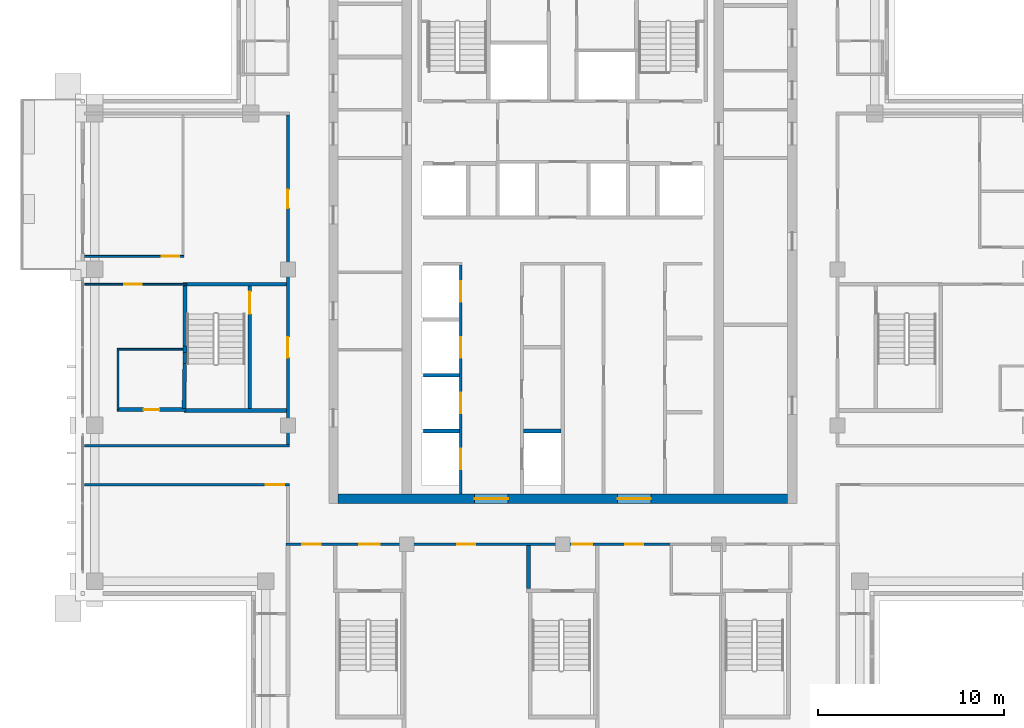
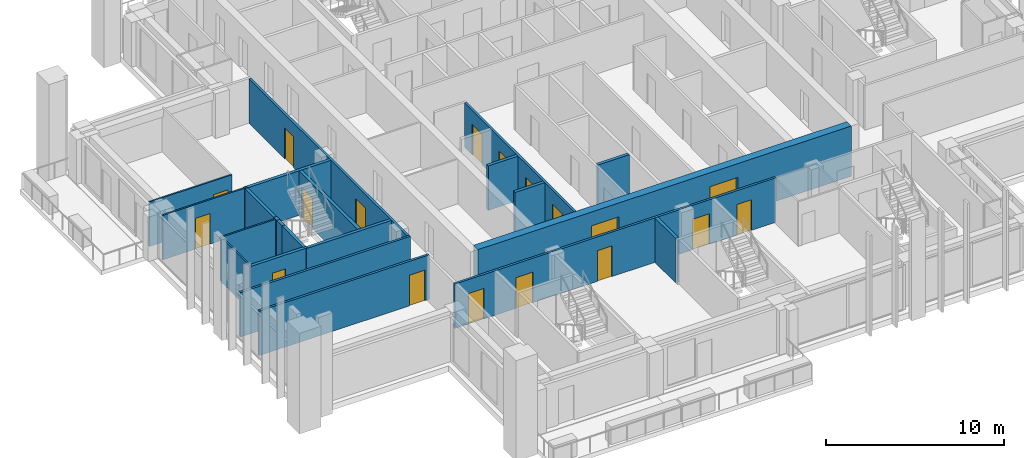
# One storey, part 7 of 16: 22 walls, 18 doors, 18 openings.
"""IFC4 building model written with IfcOpenShell, lengths in metres."""

from ifc_helpers import new_model, si_unit, direction, frame, frame_2d, origin, place, context, subcontext, project, spatial, rectangle, extrude, material, layer, layer_set, type_object, element, fill, save


model = new_model("IFC4")

# Units and contexts
model_context = context("Model", 3, precision=1e-05, world=origin(), true_north=direction((0.0, 1.0)))
body_context = subcontext(model_context, "Body", "Model", "MODEL_VIEW")
ifc_project = project(units=[si_unit("LENGTHUNIT", "METRE"), si_unit("AREAUNIT", "SQUARE_METRE"), si_unit("VOLUMEUNIT", "CUBIC_METRE"), si_unit("PLANEANGLEUNIT", "RADIAN"), si_unit("MASSUNIT", "GRAM", prefix="KILO")], contexts=[model_context])

# Site, building, storey
site_placement = place(None, origin())
site = spatial("IfcSite", under=ifc_project, at=site_placement, CompositionType="ELEMENT")
building_placement = place(site_placement, origin())
building = spatial("IfcBuilding", under=site, at=building_placement, Name="Vermilion Ogive Tower", CompositionType="ELEMENT")
storey_placement = place(building_placement, frame((0.0, 0.0, 233.800048828125)))
storey = spatial("IfcBuildingStorey", under=building, at=storey_placement, Name="L61", CompositionType="ELEMENT", Elevation=233.800048828125)

# Wall, openings, doors
ifc_material_1 = material(Name="Concrete B60", Category="concrete")
ifc_layer_1 = layer(ifc_material_1, 0.5)
ifc_layer_set_1 = layer_set([ifc_layer_1], Name="Core wall 500 B60")
wall_type_1 = type_object("IfcWallType", Name="Core wall 500 B60", PredefinedType="SHEAR", material=ifc_layer_set_1)
wall_1_placement = place(storey_placement, frame((-12.10009765625, -8.14990234375, -0.400146484375), z_axis=(0.0, 0.0, 1.0), x_axis=(1.0, 0.0, 0.0)))
wall_1 = element("IfcWall", 1, at=wall_1_placement, inside=storey, type_object=wall_type_1, Name="L61-CORE-S", PredefinedType="SHEAR", context=body_context, shape_type="SweptSolid", body=[
    extrude(rectangle(XDim=24.2001953125, YDim=0.5, at=frame_2d((12.10009765625, 0.0))), origin(), (0.0, 0.0, 1.0), 3.4501953125),
])
opening_1_placement = place(wall_1_placement, frame((7.35009765625, 0.0, 0.39990234375)))
opening_1 = element("IfcOpeningElement", 2, at=opening_1_placement, cuts=wall_1, Name="Opening DAH049", PredefinedType="OPENING", context=body_context, shape_type="SweptSolid", body=[
    extrude(rectangle(XDim=1.800048828125, YDim=2.10009765625, at=frame_2d((0.89990234375, 1.050048828125))), frame((0.0, 0.260009765625, 0.0), z_axis=(0.0, -1.0, 0.0), x_axis=(1.0, 0.0, 0.0)), (0.0, 0.0, 1.0), 0.52001953125),
])
opening_2_placement = place(wall_1_placement, frame((15.050048828125, 0.0, 0.39990234375)))
opening_2 = element("IfcOpeningElement", 3, at=opening_2_placement, cuts=wall_1, Name="Opening DAH050", PredefinedType="OPENING", context=body_context, shape_type="SweptSolid", body=[
    extrude(rectangle(XDim=1.800048828125, YDim=2.10009765625, at=frame_2d((0.89990234375, 1.050048828125))), frame((0.0, 0.260009765625, 0.0), z_axis=(0.0, -1.0, 0.0), x_axis=(1.0, 0.0, 0.0)), (0.0, 0.0, 1.0), 0.52001953125),
])
ifc_material_2 = material(Name="Timber door leaf", Category="wood")
door_type_1 = type_object("IfcDoorType", Name="Core entry door 1800 x 2100 FD60S", OperationType="DOUBLE_DOOR_SINGLE_SWING", PredefinedType="DOOR", material=ifc_material_2)
door_1_placement = place(opening_1_placement, origin())
door_1 = element("IfcDoor", 4, at=door_1_placement, inside=storey, type_object=door_type_1, Name="L61-CK-XD1", OperationType="SINGLE_SWING_LEFT", OverallHeight=2.10009765625, OverallWidth=1.800048828125, PredefinedType="DOOR", context=body_context, shape_type="SweptSolid", body=[
    extrude(rectangle(XDim=1.800048828125, YDim=2.10009765625, at=frame_2d((0.89990234375, 1.050048828125))), frame((0.0, 0.02490234375, 0.0), z_axis=(0.0, -1.0, 0.0), x_axis=(1.0, 0.0, 0.0)), (0.0, 0.0, 1.0), 0.050048828125),
])
fill(opening_1, door_1)
door_2_placement = place(opening_2_placement, origin())
door_2 = element("IfcDoor", 5, at=door_2_placement, inside=storey, type_object=door_type_1, Name="L61-CK-XD2", OperationType="SINGLE_SWING_LEFT", OverallHeight=2.10009765625, OverallWidth=1.800048828125, PredefinedType="DOOR", context=body_context, shape_type="SweptSolid", body=[
    extrude(rectangle(XDim=1.800048828125, YDim=2.10009765625, at=frame_2d((0.89990234375, 1.050048828125))), frame((0.0, 0.02490234375, 0.0), z_axis=(0.0, -1.0, 0.0), x_axis=(1.0, 0.0, 0.0)), (0.0, 0.0, 1.0), 0.050048828125),
])
fill(opening_2, door_2)

# Walls
ifc_material_3 = material(Name="Gypsum board partition on steel studs", Category="steel")
ifc_layer_2 = layer(ifc_material_3, 0.10009765625)
ifc_layer_set_2 = layer_set([ifc_layer_2], Name="Partition 100 bath")
wall_type_2 = type_object("IfcWallType", Name="Partition 100 bath", PredefinedType="PARTITIONING", material=ifc_layer_set_2)
wall_2_placement = place(storey_placement, frame((-23.998046875, -0.10009765625, 0.0), z_axis=(0.0, 0.0, 1.0), x_axis=(1.0, 0.0, 0.0)))
element("IfcWall", 6, at=wall_2_placement, inside=storey, type_object=wall_type_2, Name="L61-W-W024", PredefinedType="PARTITIONING", context=body_context, shape_type="SweptSolid", body=[
    extrude(rectangle(XDim=3.548095703125, YDim=0.10009765625, at=frame_2d((1.77392578125, 0.0))), origin(), (0.0, 0.0, 1.0), 3.050048828125),
])
wall_3_placement = place(storey_placement, frame((-23.949951171875, -3.347900390625, 0.0), z_axis=(0.0, 0.0, 1.0), x_axis=(0.0, 1.0, 0.0)))
element("IfcWall", 7, at=wall_3_placement, inside=storey, type_object=wall_type_2, Name="L61-W-W040", PredefinedType="PARTITIONING", context=body_context, shape_type="SweptSolid", body=[
    extrude(rectangle(XDim=3.19580078125, YDim=0.10009765625, at=frame_2d((1.597900390625, 0.0))), origin(), (0.0, 0.0, 1.0), 3.050048828125),
])

# Wall, opening, door
ifc_material_4 = material(Name="Gypsum board partition on steel studs", Category="steel")
ifc_layer_3 = layer(ifc_material_4, 0.10009765625)
ifc_layer_set_3 = layer_set([ifc_layer_3], Name="Partition 100 inner")
wall_type_3 = type_object("IfcWallType", Name="Partition 100 inner", PredefinedType="PARTITIONING", material=ifc_layer_set_3)
wall_4_placement = place(storey_placement, frame((-25.75, 3.39990234375, 0.0), z_axis=(0.0, 0.0, 1.0), x_axis=(1.0, 0.0, 0.0)))
wall_4 = element("IfcWall", 8, at=wall_4_placement, inside=storey, type_object=wall_type_3, Name="L61-W-W025", PredefinedType="PARTITIONING", context=body_context, shape_type="SweptSolid", body=[
    extrude(rectangle(XDim=5.5, YDim=0.10009765625, at=frame_2d((2.75, 0.0))), origin(), (0.0, 0.0, 1.0), 3.050048828125),
])
opening_3_placement = place(wall_4_placement, frame((2.125, 0.0, 0.0)))
opening_3 = element("IfcOpeningElement", 9, at=opening_3_placement, cuts=wall_4, Name="Opening D5G2006", PredefinedType="OPENING", context=body_context, shape_type="SweptSolid", body=[
    extrude(rectangle(XDim=0.949951171875, YDim=2.10009765625, at=frame_2d((0.47509765625, 1.050048828125))), frame((0.0, 0.06005859375, 0.0), z_axis=(0.0, -1.0, 0.0), x_axis=(1.0, 0.0, 0.0)), (0.0, 0.0, 1.0), 0.1201171875),
])
ifc_material_5 = material(Name="Timber door leaf", Category="wood")
door_type_2 = type_object("IfcDoorType", Name="Inner door 950 x 2100 FD30", OperationType="SINGLE_SWING_LEFT", PredefinedType="DOOR", material=ifc_material_5)
door_3_placement = place(opening_3_placement, origin())
door_3 = element("IfcDoor", 10, at=door_3_placement, inside=storey, type_object=door_type_2, Name="L61-D-D006", OperationType="SINGLE_SWING_LEFT", OverallHeight=2.10009765625, OverallWidth=0.949951171875, PredefinedType="DOOR", context=body_context, shape_type="SweptSolid", body=[
    extrude(rectangle(XDim=0.949951171875, YDim=2.10009765625, at=frame_2d((0.47509765625, 1.050048828125))), frame((0.0, 0.02490234375, 0.0), z_axis=(0.0, -1.0, 0.0), x_axis=(1.0, 0.0, 0.0)), (0.0, 0.0, 1.0), 0.050048828125),
])
fill(opening_3, door_3)

wall_5_placement = place(storey_placement, frame((-25.75, 4.89990234375, 0.0), z_axis=(0.0, 0.0, 1.0), x_axis=(1.0, 0.0, 0.0)))
wall_5 = element("IfcWall", 11, at=wall_5_placement, inside=storey, type_object=wall_type_3, Name="L61-W-W029", PredefinedType="PARTITIONING", context=body_context, shape_type="SweptSolid", body=[
    extrude(rectangle(XDim=5.35009765625, YDim=0.10009765625, at=frame_2d((2.675048828125, 0.0))), origin(), (0.0, 0.0, 1.0), 3.050048828125),
])
opening_4_placement = place(wall_5_placement, frame((4.14990234375, 0.0, 0.0)))
opening_4 = element("IfcOpeningElement", 12, at=opening_4_placement, cuts=wall_5, Name="Opening D5G2004", PredefinedType="OPENING", context=body_context, shape_type="SweptSolid", body=[
    extrude(rectangle(XDim=0.949951171875, YDim=2.10009765625, at=frame_2d((0.47509765625, 1.050048828125))), frame((0.0, 0.06005859375, 0.0), z_axis=(0.0, -1.0, 0.0), x_axis=(1.0, 0.0, 0.0)), (0.0, 0.0, 1.0), 0.1201171875),
])
door_4_placement = place(opening_4_placement, origin())
door_4 = element("IfcDoor", 13, at=door_4_placement, inside=storey, type_object=door_type_2, Name="L61-D-D004", OperationType="SINGLE_SWING_LEFT", OverallHeight=2.10009765625, OverallWidth=0.949951171875, PredefinedType="DOOR", context=body_context, shape_type="SweptSolid", body=[
    extrude(rectangle(XDim=0.949951171875, YDim=2.10009765625, at=frame_2d((0.47509765625, 1.050048828125))), frame((0.0, 0.02490234375, 0.0), z_axis=(0.0, -1.0, 0.0), x_axis=(1.0, 0.0, 0.0)), (0.0, 0.0, 1.0), 0.050048828125),
])
fill(opening_4, door_4)

# Wall, openings, doors
ifc_material_6 = material(Name="Gypsum board partition on steel studs", Category="steel")
ifc_layer_4 = layer(ifc_material_6, 0.14990234375)
ifc_layer_set_4 = layer_set([ifc_layer_4], Name="Partition 150 corridor")
wall_type_4 = type_object("IfcWallType", Name="Partition 150 corridor", PredefinedType="PARTITIONING", material=ifc_layer_set_4)
wall_6_placement = place(storey_placement, frame((-14.89990234375, -10.60009765625, 0.0), z_axis=(0.0, 0.0, 1.0), x_axis=(1.0, 0.0, 0.0)))
wall_6 = element("IfcWall", 14, at=wall_6_placement, inside=storey, type_object=wall_type_4, Name="L61-W-W012", PredefinedType="PARTITIONING", context=body_context, shape_type="SweptSolid", body=[
    extrude(rectangle(XDim=20.7998046875, YDim=0.14990234375, at=frame_2d((10.39990234375, 0.0))), origin(), (0.0, 0.0, 1.0), 3.050048828125),
])
opening_5_placement = place(wall_6_placement, frame((9.224853515625, 0.0, 0.0)))
opening_5 = element("IfcOpeningElement", 15, at=opening_5_placement, cuts=wall_6, Name="Opening D5G2010", PredefinedType="OPENING", context=body_context, shape_type="SweptSolid", body=[
    extrude(rectangle(XDim=0.949951171875, YDim=2.10009765625, at=frame_2d((0.47509765625, 1.050048828125))), frame((0.0, 0.0849609375, 0.0), z_axis=(0.0, -1.0, 0.0), x_axis=(1.0, 0.0, 0.0)), (0.0, 0.0, 1.0), 0.169921875),
])
opening_6_placement = place(wall_6_placement, frame((18.27490234375, 0.0, 0.0)))
opening_6 = element("IfcOpeningElement", 16, at=opening_6_placement, cuts=wall_6, Name="Opening D5G2011", PredefinedType="OPENING", context=body_context, shape_type="SweptSolid", body=[
    extrude(rectangle(XDim=0.949951171875, YDim=2.10009765625, at=frame_2d((0.47509765625, 1.050048828125))), frame((0.0, 0.0849609375, 0.0), z_axis=(0.0, -1.0, 0.0), x_axis=(1.0, 0.0, 0.0)), (0.0, 0.0, 1.0), 0.169921875),
])
opening_7_placement = place(wall_6_placement, frame((3.949951171875, 0.0, 0.0)))
opening_7 = element("IfcOpeningElement", 17, at=opening_7_placement, cuts=wall_6, Name="Opening D5G2023", PredefinedType="OPENING", context=body_context, shape_type="SweptSolid", body=[
    extrude(rectangle(XDim=1.10009765625, YDim=2.10009765625, at=frame_2d((0.550048828125, 1.050048828125))), frame((0.0, 0.0849609375, 0.0), z_axis=(0.0, -1.0, 0.0), x_axis=(1.0, 0.0, 0.0)), (0.0, 0.0, 1.0), 0.169921875),
])
opening_8_placement = place(wall_6_placement, frame((15.39990234375, 0.0, 0.0)))
opening_8 = element("IfcOpeningElement", 18, at=opening_8_placement, cuts=wall_6, Name="Opening D5G2025", PredefinedType="OPENING", context=body_context, shape_type="SweptSolid", body=[
    extrude(rectangle(XDim=1.10009765625, YDim=2.10009765625, at=frame_2d((0.550048828125, 1.050048828125))), frame((0.0, 0.0849609375, 0.0), z_axis=(0.0, -1.0, 0.0), x_axis=(1.0, 0.0, 0.0)), (0.0, 0.0, 1.0), 0.169921875),
])
opening_9_placement = place(wall_6_placement, frame((0.875, 0.0, 0.0)))
opening_9 = element("IfcOpeningElement", 19, at=opening_9_placement, cuts=wall_6, Name="Opening D5G2033", PredefinedType="OPENING", context=body_context, shape_type="SweptSolid", body=[
    extrude(rectangle(XDim=1.0, YDim=2.10009765625, at=frame_2d((0.5, 1.050048828125))), frame((0.0, 0.0849609375, 0.0), z_axis=(0.0, -1.0, 0.0), x_axis=(1.0, 0.0, 0.0)), (0.0, 0.0, 1.0), 0.169921875),
])
ifc_material_7 = material(Name="Timber door leaf", Category="wood")
door_type_3 = type_object("IfcDoorType", Name="Stair door 1100 x 2100 FD60S", OperationType="SINGLE_SWING_LEFT", PredefinedType="DOOR", material=ifc_material_7)
door_5_placement = place(opening_7_placement, origin())
door_5 = element("IfcDoor", 20, at=door_5_placement, inside=storey, type_object=door_type_3, Name="L61-D-D023", OperationType="SINGLE_SWING_RIGHT", OverallHeight=2.10009765625, OverallWidth=1.10009765625, PredefinedType="DOOR", context=body_context, shape_type="SweptSolid", body=[
    extrude(rectangle(XDim=1.10009765625, YDim=2.10009765625, at=frame_2d((0.550048828125, 1.050048828125))), frame((0.0, 0.02490234375, 0.0), z_axis=(0.0, -1.0, 0.0), x_axis=(1.0, 0.0, 0.0)), (0.0, 0.0, 1.0), 0.050048828125),
])
fill(opening_7, door_5)
door_6_placement = place(opening_8_placement, origin())
door_6 = element("IfcDoor", 21, at=door_6_placement, inside=storey, type_object=door_type_3, Name="L61-D-D025", OperationType="SINGLE_SWING_LEFT", OverallHeight=2.10009765625, OverallWidth=1.10009765625, PredefinedType="DOOR", context=body_context, shape_type="SweptSolid", body=[
    extrude(rectangle(XDim=1.10009765625, YDim=2.10009765625, at=frame_2d((0.550048828125, 1.050048828125))), frame((0.0, 0.02490234375, 0.0), z_axis=(0.0, -1.0, 0.0), x_axis=(1.0, 0.0, 0.0)), (0.0, 0.0, 1.0), 0.050048828125),
])
fill(opening_8, door_6)
ifc_material_8 = material(Name="Timber door leaf", Category="wood")
door_type_4 = type_object("IfcDoorType", Name="Unit door 1000 x 2100 FD30S", OperationType="SINGLE_SWING_LEFT", PredefinedType="DOOR", material=ifc_material_8)
door_7_placement = place(opening_9_placement, origin())
door_7 = element("IfcDoor", 22, at=door_7_placement, inside=storey, type_object=door_type_4, Name="L61-D-D033", OperationType="SINGLE_SWING_RIGHT", OverallHeight=2.10009765625, OverallWidth=1.0, PredefinedType="DOOR", context=body_context, shape_type="SweptSolid", body=[
    extrude(rectangle(XDim=1.0, YDim=2.10009765625, at=frame_2d((0.5, 1.050048828125))), frame((0.0, 0.02490234375, 0.0), z_axis=(0.0, -1.0, 0.0), x_axis=(1.0, 0.0, 0.0)), (0.0, 0.0, 1.0), 0.050048828125),
])
fill(opening_9, door_7)
ifc_material_9 = material(Name="Timber door leaf", Category="wood")
door_type_5 = type_object("IfcDoorType", Name="Unit door 950 x 2100 FD30S", OperationType="SINGLE_SWING_LEFT", PredefinedType="DOOR", material=ifc_material_9)
door_8_placement = place(opening_5_placement, origin())
door_8 = element("IfcDoor", 23, at=door_8_placement, inside=storey, type_object=door_type_5, Name="L61-D-D010", OperationType="SINGLE_SWING_LEFT", OverallHeight=2.10009765625, OverallWidth=0.949951171875, PredefinedType="DOOR", context=body_context, shape_type="SweptSolid", body=[
    extrude(rectangle(XDim=0.949951171875, YDim=2.10009765625, at=frame_2d((0.47509765625, 1.050048828125))), frame((0.0, 0.02490234375, 0.0), z_axis=(0.0, -1.0, 0.0), x_axis=(1.0, 0.0, 0.0)), (0.0, 0.0, 1.0), 0.050048828125),
])
fill(opening_5, door_8)
door_9_placement = place(opening_6_placement, origin())
door_9 = element("IfcDoor", 24, at=door_9_placement, inside=storey, type_object=door_type_5, Name="L61-D-D011", OperationType="SINGLE_SWING_LEFT", OverallHeight=2.10009765625, OverallWidth=0.949951171875, PredefinedType="DOOR", context=body_context, shape_type="SweptSolid", body=[
    extrude(rectangle(XDim=0.949951171875, YDim=2.10009765625, at=frame_2d((0.47509765625, 1.050048828125))), frame((0.0, 0.02490234375, 0.0), z_axis=(0.0, -1.0, 0.0), x_axis=(1.0, 0.0, 0.0)), (0.0, 0.0, 1.0), 0.050048828125),
])
fill(opening_6, door_9)

# Wall, opening, door
wall_7_placement = place(storey_placement, frame((-25.75, -7.39990234375, 0.0), z_axis=(0.0, 0.0, 1.0), x_axis=(1.0, 0.0, 0.0)))
wall_7 = element("IfcWall", 25, at=wall_7_placement, inside=storey, type_object=wall_type_4, Name="L61-W-W015", PredefinedType="PARTITIONING", context=body_context, shape_type="SweptSolid", body=[
    extrude(rectangle(XDim=11.02490234375, YDim=0.14990234375, at=frame_2d((5.512451171875, 0.0))), origin(), (0.0, 0.0, 1.0), 3.050048828125),
])
opening_10_placement = place(wall_7_placement, frame((9.75, 0.0, 0.0)))
opening_10 = element("IfcOpeningElement", 26, at=opening_10_placement, cuts=wall_7, Name="Opening D5G2001", PredefinedType="OPENING", context=body_context, shape_type="SweptSolid", body=[
    extrude(rectangle(XDim=1.0, YDim=2.10009765625, at=frame_2d((0.5, 1.050048828125))), frame((0.0, 0.0849609375, 0.0), z_axis=(0.0, -1.0, 0.0), x_axis=(1.0, 0.0, 0.0)), (0.0, 0.0, 1.0), 0.169921875),
])
door_10_placement = place(opening_10_placement, origin())
door_10 = element("IfcDoor", 27, at=door_10_placement, inside=storey, type_object=door_type_4, Name="L61-D-D001", OperationType="SINGLE_SWING_RIGHT", OverallHeight=2.10009765625, OverallWidth=1.0, PredefinedType="DOOR", context=body_context, shape_type="SweptSolid", body=[
    extrude(rectangle(XDim=1.0, YDim=2.10009765625, at=frame_2d((0.5, 1.050048828125))), frame((0.0, 0.02490234375, 0.0), z_axis=(0.0, -1.0, 0.0), x_axis=(1.0, 0.0, 0.0)), (0.0, 0.0, 1.0), 0.050048828125),
])
fill(opening_10, door_10)

# Wall
wall_8_placement = place(storey_placement, frame((-25.75, -5.300048828125, 0.0), z_axis=(0.0, 0.0, 1.0), x_axis=(1.0, 0.0, 0.0)))
element("IfcWall", 28, at=wall_8_placement, inside=storey, type_object=wall_type_4, Name="L61-W-W017", PredefinedType="PARTITIONING", context=body_context, shape_type="SweptSolid", body=[
    extrude(rectangle(XDim=11.02294921875, YDim=0.14990234375, at=frame_2d((5.511474609375, 0.0))), origin(), (0.0, 0.0, 1.0), 3.050048828125),
])

# Wall, openings, doors
wall_9_placement = place(storey_placement, frame((-14.800048828125, -5.222900390625, 0.0), z_axis=(0.0, 0.0, 1.0), x_axis=(0.0, 1.0, 0.0)))
wall_9 = element("IfcWall", 29, at=wall_9_placement, inside=storey, type_object=wall_type_4, Name="L61-W-W049", PredefinedType="PARTITIONING", context=body_context, shape_type="SweptSolid", body=[
    extrude(rectangle(XDim=17.747802734375, YDim=0.14990234375, at=frame_2d((8.8740234375, 0.0))), origin(), (0.0, 0.0, 1.0), 3.050048828125),
])
opening_11_placement = place(wall_9_placement, frame((12.722900390625, 0.0, 0.0)))
opening_11 = element("IfcOpeningElement", 30, at=opening_11_placement, cuts=wall_9, Name="Opening D5G2005", PredefinedType="OPENING", context=body_context, shape_type="SweptSolid", body=[
    extrude(rectangle(XDim=1.0, YDim=2.10009765625, at=frame_2d((0.5, 1.050048828125))), frame((0.0, 0.0849609375, 0.0), z_axis=(0.0, -1.0, 0.0), x_axis=(1.0, 0.0, 0.0)), (0.0, 0.0, 1.0), 0.169921875),
])
opening_12_placement = place(wall_9_placement, frame((4.6728515625, 0.0, 0.0)))
opening_12 = element("IfcOpeningElement", 31, at=opening_12_placement, cuts=wall_9, Name="Opening D5G2031", PredefinedType="OPENING", context=body_context, shape_type="SweptSolid", body=[
    extrude(rectangle(XDim=1.10009765625, YDim=2.10009765625, at=frame_2d((0.550048828125, 1.050048828125))), frame((0.0, 0.0849609375, 0.0), z_axis=(0.0, -1.0, 0.0), x_axis=(1.0, 0.0, 0.0)), (0.0, 0.0, 1.0), 0.169921875),
])
door_11_placement = place(opening_12_placement, origin())
door_11 = element("IfcDoor", 32, at=door_11_placement, inside=storey, type_object=door_type_3, Name="L61-D-D031", OperationType="SINGLE_SWING_LEFT", OverallHeight=2.10009765625, OverallWidth=1.10009765625, PredefinedType="DOOR", context=body_context, shape_type="SweptSolid", body=[
    extrude(rectangle(XDim=1.10009765625, YDim=2.10009765625, at=frame_2d((0.550048828125, 1.050048828125))), frame((0.0, 0.02490234375, 0.0), z_axis=(0.0, -1.0, 0.0), x_axis=(1.0, 0.0, 0.0)), (0.0, 0.0, 1.0), 0.050048828125),
])
fill(opening_12, door_11)
door_12_placement = place(opening_11_placement, origin())
door_12 = element("IfcDoor", 33, at=door_12_placement, inside=storey, type_object=door_type_4, Name="L61-D-D005", OperationType="SINGLE_SWING_RIGHT", OverallHeight=2.10009765625, OverallWidth=1.0, PredefinedType="DOOR", context=body_context, shape_type="SweptSolid", body=[
    extrude(rectangle(XDim=1.0, YDim=2.10009765625, at=frame_2d((0.5, 1.050048828125))), frame((0.0, 0.02490234375, 0.0), z_axis=(0.0, -1.0, 0.0), x_axis=(1.0, 0.0, 0.0)), (0.0, 0.0, 1.0), 0.050048828125),
])
fill(opening_11, door_12)

wall_10_placement = place(storey_placement, frame((-5.5, -7.89892578125, 0.0), z_axis=(0.0, 0.0, 1.0), x_axis=(0.0, 1.0, 0.0)))
wall_10 = element("IfcWall", 34, at=wall_10_placement, inside=storey, type_object=wall_type_4, Name="L61-CK-W-W020", PredefinedType="PARTITIONING", context=body_context, shape_type="SweptSolid", body=[
    extrude(rectangle(XDim=12.323974609375, YDim=0.14990234375, at=frame_2d((6.162109375, 0.0))), origin(), (0.0, 0.0, 1.0), 3.050048828125),
])
opening_13_placement = place(wall_10_placement, frame((1.348876953125, 0.0, 0.0)))
opening_13 = element("IfcOpeningElement", 35, at=opening_13_placement, cuts=wall_10, Name="Opening DAA576", PredefinedType="OPENING", context=body_context, shape_type="SweptSolid", body=[
    extrude(rectangle(XDim=1.10009765625, YDim=2.10009765625, at=frame_2d((0.550048828125, 1.050048828125))), frame((0.0, 0.0849609375, 0.0), z_axis=(0.0, -1.0, 0.0), x_axis=(1.0, 0.0, 0.0)), (0.0, 0.0, 1.0), 0.169921875),
])
opening_14_placement = place(wall_10_placement, frame((4.348876953125, 0.0, 0.0)))
opening_14 = element("IfcOpeningElement", 36, at=opening_14_placement, cuts=wall_10, Name="Opening DAA577", PredefinedType="OPENING", context=body_context, shape_type="SweptSolid", body=[
    extrude(rectangle(XDim=1.10009765625, YDim=2.10009765625, at=frame_2d((0.550048828125, 1.050048828125))), frame((0.0, 0.0849609375, 0.0), z_axis=(0.0, -1.0, 0.0), x_axis=(1.0, 0.0, 0.0)), (0.0, 0.0, 1.0), 0.169921875),
])
opening_15_placement = place(wall_10_placement, frame((7.348876953125, 0.0, 0.0)))
opening_15 = element("IfcOpeningElement", 37, at=opening_15_placement, cuts=wall_10, Name="Opening DAA578", PredefinedType="OPENING", context=body_context, shape_type="SweptSolid", body=[
    extrude(rectangle(XDim=1.10009765625, YDim=2.10009765625, at=frame_2d((0.550048828125, 1.050048828125))), frame((0.0, 0.0849609375, 0.0), z_axis=(0.0, -1.0, 0.0), x_axis=(1.0, 0.0, 0.0)), (0.0, 0.0, 1.0), 0.169921875),
])
opening_16_placement = place(wall_10_placement, frame((10.348876953125, 0.0, 0.0)))
opening_16 = element("IfcOpeningElement", 38, at=opening_16_placement, cuts=wall_10, Name="Opening DAA579", PredefinedType="OPENING", context=body_context, shape_type="SweptSolid", body=[
    extrude(rectangle(XDim=1.10009765625, YDim=2.10009765625, at=frame_2d((0.550048828125, 1.050048828125))), frame((0.0, 0.0849609375, 0.0), z_axis=(0.0, -1.0, 0.0), x_axis=(1.0, 0.0, 0.0)), (0.0, 0.0, 1.0), 0.169921875),
])
ifc_material_10 = material(Name="Stainless steel", Category="steel")
door_type_6 = type_object("IfcDoorType", Name="Lift landing door 1100 x 2100", OperationType="SLIDING_TO_LEFT", PredefinedType="DOOR", material=ifc_material_10)
door_13_placement = place(opening_13_placement, origin())
door_13 = element("IfcDoor", 39, at=door_13_placement, inside=storey, type_object=door_type_6, Name="L61-CK-D-D001", OperationType="SLIDING_TO_LEFT", OverallHeight=2.10009765625, OverallWidth=1.10009765625, PredefinedType="DOOR", context=body_context, shape_type="SweptSolid", body=[
    extrude(rectangle(XDim=1.10009765625, YDim=2.10009765625, at=frame_2d((0.550048828125, 1.050048828125))), frame((0.0, 0.02490234375, 0.0), z_axis=(0.0, -1.0, 0.0), x_axis=(1.0, 0.0, 0.0)), (0.0, 0.0, 1.0), 0.050048828125),
])
fill(opening_13, door_13)
door_14_placement = place(opening_14_placement, origin())
door_14 = element("IfcDoor", 40, at=door_14_placement, inside=storey, type_object=door_type_6, Name="L61-CK-D-D002", OperationType="SLIDING_TO_LEFT", OverallHeight=2.10009765625, OverallWidth=1.10009765625, PredefinedType="DOOR", context=body_context, shape_type="SweptSolid", body=[
    extrude(rectangle(XDim=1.10009765625, YDim=2.10009765625, at=frame_2d((0.550048828125, 1.050048828125))), frame((0.0, 0.02490234375, 0.0), z_axis=(0.0, -1.0, 0.0), x_axis=(1.0, 0.0, 0.0)), (0.0, 0.0, 1.0), 0.050048828125),
])
fill(opening_14, door_14)
door_15_placement = place(opening_15_placement, origin())
door_15 = element("IfcDoor", 41, at=door_15_placement, inside=storey, type_object=door_type_6, Name="L61-CK-D-D003", OperationType="SLIDING_TO_LEFT", OverallHeight=2.10009765625, OverallWidth=1.10009765625, PredefinedType="DOOR", context=body_context, shape_type="SweptSolid", body=[
    extrude(rectangle(XDim=1.10009765625, YDim=2.10009765625, at=frame_2d((0.550048828125, 1.050048828125))), frame((0.0, 0.02490234375, 0.0), z_axis=(0.0, -1.0, 0.0), x_axis=(1.0, 0.0, 0.0)), (0.0, 0.0, 1.0), 0.050048828125),
])
fill(opening_15, door_15)
door_16_placement = place(opening_16_placement, origin())
door_16 = element("IfcDoor", 42, at=door_16_placement, inside=storey, type_object=door_type_6, Name="L61-CK-D-D004", OperationType="SLIDING_TO_LEFT", OverallHeight=2.10009765625, OverallWidth=1.10009765625, PredefinedType="DOOR", context=body_context, shape_type="SweptSolid", body=[
    extrude(rectangle(XDim=1.10009765625, YDim=2.10009765625, at=frame_2d((0.550048828125, 1.050048828125))), frame((0.0, 0.02490234375, 0.0), z_axis=(0.0, -1.0, 0.0), x_axis=(1.0, 0.0, 0.0)), (0.0, 0.0, 1.0), 0.050048828125),
])
fill(opening_16, door_16)

# Walls
ifc_material_11 = material(Name="Gypsum board partition on steel studs", Category="steel")
ifc_layer_5 = layer(ifc_material_11, 0.199951171875)
ifc_layer_set_5 = layer_set([ifc_layer_5], Name="Partition 200 party")
wall_type_5 = type_object("IfcWallType", Name="Partition 200 party", PredefinedType="PARTITIONING", material=ifc_layer_set_5)
wall_11_placement = place(storey_placement, frame((-1.85009765625, -12.998046875, 0.0), z_axis=(0.0, 0.0, 1.0), x_axis=(0.0, 1.0, 0.0)))
element("IfcWall", 43, at=wall_11_placement, inside=storey, type_object=wall_type_5, Name="L61-W-W056", PredefinedType="PARTITIONING", context=body_context, shape_type="SweptSolid", body=[
    extrude(rectangle(XDim=2.322998046875, YDim=0.199951171875, at=frame_2d((1.16162109375, 0.0))), origin(), (0.0, 0.0, 1.0), 3.050048828125),
])
wall_12_placement = place(storey_placement, frame((-7.5, -4.5, 0.0), z_axis=(0.0, 0.0, 1.0), x_axis=(1.0, 0.0, 0.0)))
element("IfcWall", 44, at=wall_12_placement, inside=storey, type_object=wall_type_5, Name="L61-CK-W-W001", PredefinedType="PARTITIONING", context=body_context, shape_type="SweptSolid", body=[
    extrude(rectangle(XDim=1.925048828125, YDim=0.199951171875, at=frame_2d((0.96240234375, 0.0))), origin(), (0.0, 0.0, 1.0), 3.050048828125),
])
wall_13_placement = place(storey_placement, frame((-2.125, -4.5, 0.0), z_axis=(0.0, 0.0, 1.0), x_axis=(1.0, 0.0, 0.0)))
element("IfcWall", 45, at=wall_13_placement, inside=storey, type_object=wall_type_5, Name="L61-CK-W-W002", PredefinedType="PARTITIONING", context=body_context, shape_type="SweptSolid", body=[
    extrude(rectangle(XDim=2.02490234375, YDim=0.199951171875, at=frame_2d((1.012451171875, 0.0))), origin(), (0.0, 0.0, 1.0), 3.050048828125),
])
wall_14_placement = place(storey_placement, frame((-7.5, -1.5, 0.0), z_axis=(0.0, 0.0, 1.0), x_axis=(1.0, 0.0, 0.0)))
element("IfcWall", 46, at=wall_14_placement, inside=storey, type_object=wall_type_5, Name="L61-CK-W-W004", PredefinedType="PARTITIONING", context=body_context, shape_type="SweptSolid", body=[
    extrude(rectangle(XDim=1.925048828125, YDim=0.199951171875, at=frame_2d((0.96240234375, 0.0))), origin(), (0.0, 0.0, 1.0), 3.050048828125),
])

# Wall, opening, door
ifc_material_12 = material(Name="Concrete B60", Category="concrete")
ifc_layer_6 = layer(ifc_material_12, 0.199951171875)
ifc_layer_set_6 = layer_set([ifc_layer_6], Name="Stair shaft wall 200 Concrete B60")
wall_type_6 = type_object("IfcWallType", Name="Stair shaft wall 200 Concrete B60", PredefinedType="SOLIDWALL", material=ifc_layer_set_6)
wall_15_placement = place(storey_placement, frame((-23.998046875, -3.349853515625, 0.0), z_axis=(0.0, 0.0, 1.0), x_axis=(1.0, 0.0, 0.0)))
wall_15 = element("IfcWall", 47, at=wall_15_placement, inside=storey, type_object=wall_type_6, Name="L61-W-W019", PredefinedType="SOLIDWALL", context=body_context, shape_type="SweptSolid", body=[
    extrude(rectangle(XDim=3.697998046875, YDim=0.199951171875, at=frame_2d((1.84912109375, 0.0))), origin(), (0.0, 0.0, 1.0), 3.050048828125),
])
opening_17_placement = place(wall_15_placement, frame((1.423095703125, 0.0, 0.0)))
opening_17 = element("IfcOpeningElement", 48, at=opening_17_placement, cuts=wall_15, Name="Opening D5G2007", PredefinedType="OPENING", context=body_context, shape_type="SweptSolid", body=[
    extrude(rectangle(XDim=0.85009765625, YDim=2.10009765625, at=frame_2d((0.425048828125, 1.050048828125))), frame((0.0, 0.10986328125, 0.0), z_axis=(0.0, -1.0, 0.0), x_axis=(1.0, 0.0, 0.0)), (0.0, 0.0, 1.0), 0.219970703125),
])
ifc_material_13 = material(Name="Timber door leaf", Category="wood")
door_type_7 = type_object("IfcDoorType", Name="Bath door 850 x 2100 FD30", OperationType="SINGLE_SWING_LEFT", PredefinedType="DOOR", material=ifc_material_13)
door_17_placement = place(opening_17_placement, origin())
door_17 = element("IfcDoor", 49, at=door_17_placement, inside=storey, type_object=door_type_7, Name="L61-D-D007", OperationType="SINGLE_SWING_LEFT", OverallHeight=2.10009765625, OverallWidth=0.85009765625, PredefinedType="DOOR", context=body_context, shape_type="SweptSolid", body=[
    extrude(rectangle(XDim=0.85009765625, YDim=2.10009765625, at=frame_2d((0.425048828125, 1.050048828125))), frame((0.0, 0.02490234375, 0.0), z_axis=(0.0, -1.0, 0.0), x_axis=(1.0, 0.0, 0.0)), (0.0, 0.0, 1.0), 0.050048828125),
])
fill(opening_17, door_17)

# Walls
wall_16_placement = place(storey_placement, frame((-20.39990234375, -3.39990234375, 0.0), z_axis=(0.0, 0.0, 1.0), x_axis=(1.0, 0.0, 0.0)))
element("IfcWall", 50, at=wall_16_placement, inside=storey, type_object=wall_type_6, Name="L61-W-W020", PredefinedType="SOLIDWALL", context=body_context, shape_type="SweptSolid", body=[
    extrude(rectangle(XDim=5.52294921875, YDim=0.199951171875, at=frame_2d((2.761474609375, 0.0))), origin(), (0.0, 0.0, 1.0), 3.050048828125),
])
wall_17_placement = place(storey_placement, frame((-20.449951171875, 3.39990234375, 0.0), z_axis=(0.0, 0.0, 1.0), x_axis=(1.0, 0.0, 0.0)))
element("IfcWall", 51, at=wall_17_placement, inside=storey, type_object=wall_type_6, Name="L61-W-W026", PredefinedType="SOLIDWALL", context=body_context, shape_type="SweptSolid", body=[
    extrude(rectangle(XDim=5.574951171875, YDim=0.199951171875, at=frame_2d((2.78759765625, 0.0))), origin(), (0.0, 0.0, 1.0), 3.050048828125),
])
wall_18_placement = place(storey_placement, frame((-20.400146484375, -3.300048828125, 0.0), z_axis=(0.0, 0.0, 1.0), x_axis=(0.016173911403, 0.99986919374, 0.0)))
element("IfcWall", 52, at=wall_18_placement, inside=storey, type_object=wall_type_6, Name="L61-W-W042", PredefinedType="SOLIDWALL", context=body_context, shape_type="SweptSolid", body=[
    extrude(rectangle(XDim=2.43017578125, YDim=0.199951171875, at=frame_2d((1.215087890625, 0.0))), origin(), (0.0, 0.0, 1.0), 3.050048828125),
])
wall_19_placement = place(storey_placement, frame((-20.35009765625, 0.070068359375, 0.0), z_axis=(0.0, 0.0, 1.0), x_axis=(0.0, 1.0, 0.0)))
element("IfcWall", 53, at=wall_19_placement, inside=storey, type_object=wall_type_6, Name="L61-W-W043", PredefinedType="SOLIDWALL", context=body_context, shape_type="SweptSolid", body=[
    extrude(rectangle(XDim=3.22998046875, YDim=0.199951171875, at=frame_2d((1.614990234375, 0.0))), origin(), (0.0, 0.0, 1.0), 3.050048828125),
])

# Wall, opening, door
wall_20_placement = place(storey_placement, frame((-16.85009765625, -3.300048828125, 0.0), z_axis=(0.0, 0.0, 1.0), x_axis=(0.0, 1.0, 0.0)))
wall_20 = element("IfcWall", 54, at=wall_20_placement, inside=storey, type_object=wall_type_6, Name="L61-W-W045", PredefinedType="SOLIDWALL", context=body_context, shape_type="SweptSolid", body=[
    extrude(rectangle(XDim=6.60009765625, YDim=0.199951171875, at=frame_2d((3.300048828125, 0.0))), origin(), (0.0, 0.0, 1.0), 3.050048828125),
])
opening_18_placement = place(wall_20_placement, frame((5.10009765625, 0.0, 0.0)))
opening_18 = element("IfcOpeningElement", 55, at=opening_18_placement, cuts=wall_20, Name="Opening D5G2032", PredefinedType="OPENING", context=body_context, shape_type="SweptSolid", body=[
    extrude(rectangle(XDim=1.199951171875, YDim=2.10009765625, at=frame_2d((0.60009765625, 1.050048828125))), frame((0.0, 0.10986328125, 0.0), z_axis=(0.0, -1.0, 0.0), x_axis=(1.0, 0.0, 0.0)), (0.0, 0.0, 1.0), 0.219970703125),
])
ifc_material_14 = material(Name="Timber door leaf", Category="wood")
door_type_8 = type_object("IfcDoorType", Name="Stair door 1200 x 2100 FD60S", OperationType="SINGLE_SWING_LEFT", PredefinedType="DOOR", material=ifc_material_14)
door_18_placement = place(opening_18_placement, origin())
door_18 = element("IfcDoor", 56, at=door_18_placement, inside=storey, type_object=door_type_8, Name="L61-D-D032", OperationType="SINGLE_SWING_RIGHT", OverallHeight=2.10009765625, OverallWidth=1.199951171875, PredefinedType="DOOR", context=body_context, shape_type="SweptSolid", body=[
    extrude(rectangle(XDim=1.199951171875, YDim=2.10009765625, at=frame_2d((0.60009765625, 1.050048828125))), frame((0.0, 0.02490234375, 0.0), z_axis=(0.0, -1.0, 0.0), x_axis=(1.0, 0.0, 0.0)), (0.0, 0.0, 1.0), 0.050048828125),
])
fill(opening_18, door_18)

# Walls
wall_21_placement = place(storey_placement, frame((-20.35009765625, -0.27001953125, 0.0), z_axis=(0.0, 0.0, 1.0), x_axis=(0.0, 1.0, 0.0)))
element("IfcWall", 57, at=wall_21_placement, inside=storey, type_object=wall_type_6, Name="L61-SW-ST9-W1", PredefinedType="SOLIDWALL", context=body_context, shape_type="SweptSolid", body=[
    extrude(rectangle(XDim=0.340087890625, YDim=0.199951171875, at=frame_2d((0.169921875, 0.0))), origin(), (0.0, 0.0, 1.0), 3.050048828125),
])
wall_22_placement = place(storey_placement, frame((-20.36083984375, -0.8701171875, 0.0), z_axis=(0.0, 0.0, 1.0), x_axis=(0.01586456137, 0.999874149927, 0.0)))
element("IfcWall", 58, at=wall_22_placement, inside=storey, type_object=wall_type_6, Name="L61-W-W042-B", PredefinedType="SOLIDWALL", context=body_context, shape_type="SweptSolid", body=[
    extrude(rectangle(XDim=0.60009765625, YDim=0.199951171875, at=frame_2d((0.300048828125, 0.0))), origin(), (0.0, 0.0, 1.0), 3.050048828125),
])

save(model, "model.ifc")
